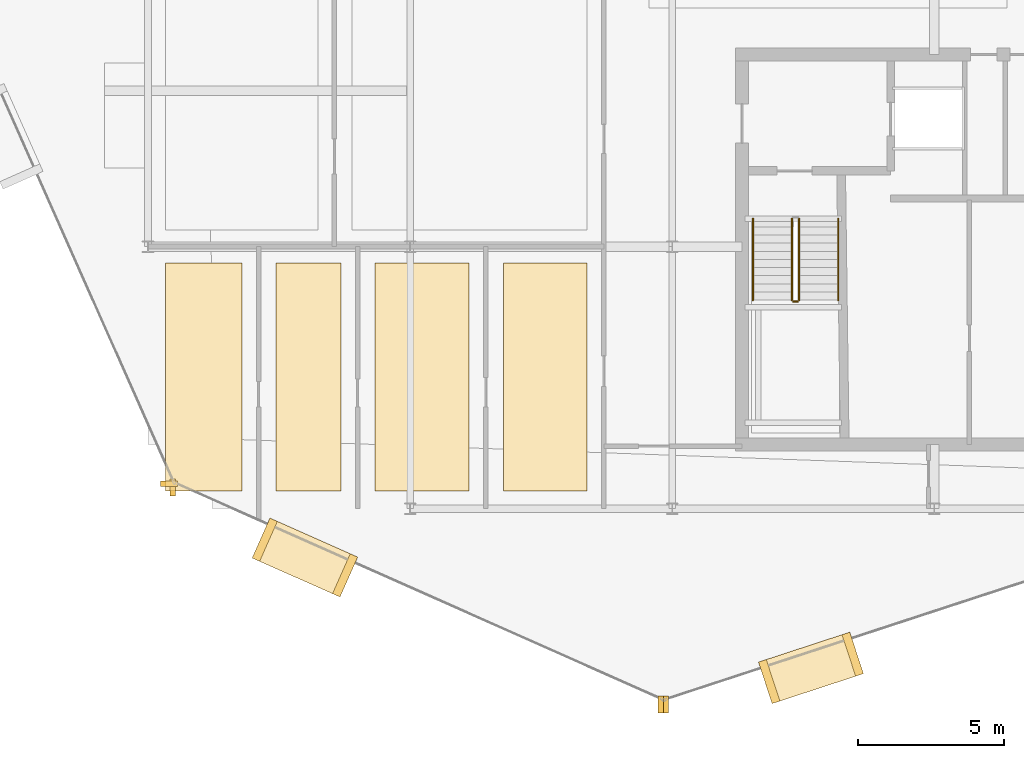
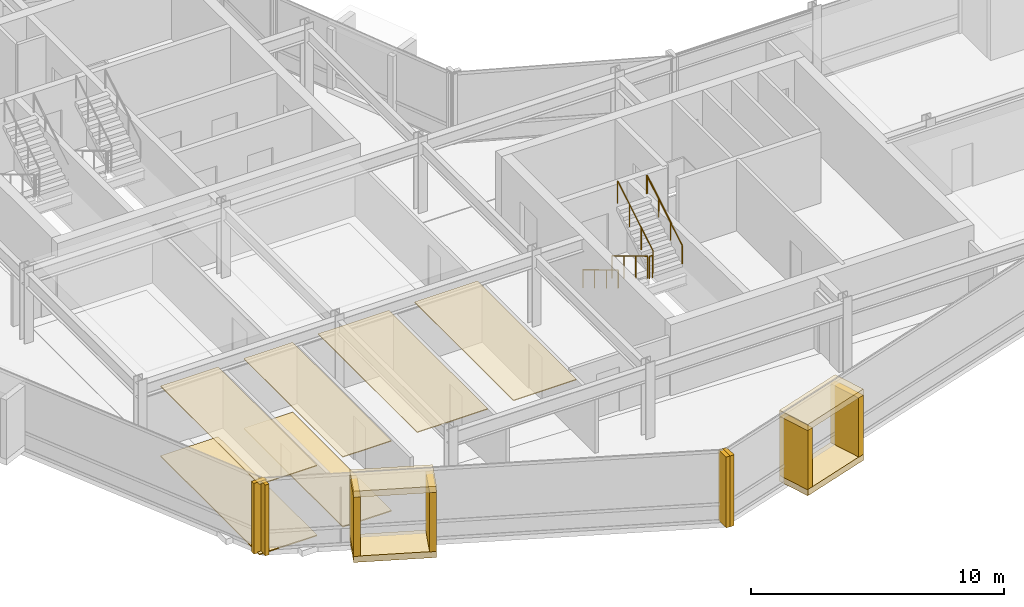
# One storey, part 22 of 27: 18 coverings, 5 railings.
"""IFC4 building model written with IfcOpenShell, lengths in metres."""

import ifcopenshell
import ifcopenshell.guid

model = None  # the IFC model being written
_history = None  # IfcOwnerHistory: only IFC2X3 demands one
_inside = {}  # id of a spatial element -> (the spatial element, [elements in it])
_under = {}  # id of a project, library or spatial element -> (it, [spatial elements below it])
_declared = {}  # id of a project -> (the project, [libraries it declares])
_typed = {}  # id of a type object -> (the type object, [elements of that type])
_made_of = {}  # id of a material, layer set ... -> (it, [elements and type objects made of it])


def new_model(schema):
    """Start an empty IFC model of exactly this schema.

    Asked for "IFC4X3", IfcOpenShell would pick the latest addendum, in which some entities
    have other attributes; the version numbers below select the first issue.
    IFC2X3 requires an IfcOwnerHistory on every rooted entity: one is made here for all.
    """
    global model, _history
    if schema == "IFC4X3":
        model = ifcopenshell.file(schema_version=(4, 3, 0, 0))
    else:
        model = ifcopenshell.file(schema=schema)
    _inside.clear()
    _under.clear()
    _declared.clear()
    _typed.clear()
    _made_of.clear()
    _history = None
    if model.schema == "IFC2X3":
        org = make("IfcOrganization", Name="unknown")
        user = make(
            "IfcPersonAndOrganization",
            ThePerson=make("IfcPerson", FamilyName="unknown"),
            TheOrganization=org,
        )
        app = make(
            "IfcApplication",
            ApplicationDeveloper=org,
            Version="unknown",
            ApplicationFullName="unknown",
            ApplicationIdentifier="unknown",
        )
        _history = make(
            "IfcOwnerHistory",
            OwningUser=user,
            OwningApplication=app,
            ChangeAction="ADDED",
            CreationDate=0,
        )
    return model


def make(cls, **values):
    """One entity of the class cls with the attributes given. An attribute that is None is left unset."""
    return model.create_entity(
        cls, **{name: value for name, value in values.items() if value is not None}
    )


def rooted(cls, **values):
    """An entity with a GlobalId (a new one), such as an element, a storey or a relation."""
    return make(cls, GlobalId=ifcopenshell.guid.new(), OwnerHistory=_history, **values)


def si_unit(unit_type, name, prefix=None):
    """IfcSIUnit, for example si_unit("LENGTHUNIT", "METRE", prefix="MILLI")."""
    return make("IfcSIUnit", UnitType=unit_type, Prefix=prefix, Name=name)


def assignment(units):
    """IfcUnitAssignment: the units of a project."""
    return None if units is None else make("IfcUnitAssignment", Units=units)


def point(xyz):
    """IfcCartesianPoint."""
    return None if xyz is None else make("IfcCartesianPoint", Coordinates=xyz)


def direction(xyz):
    """IfcDirection."""
    return None if xyz is None else make("IfcDirection", DirectionRatios=xyz)


def frame(location, z_axis=None, x_axis=None):
    """IfcAxis2Placement3D, a coordinate frame: its origin and axes. An axis left out is left unset."""
    return make(
        "IfcAxis2Placement3D",
        Location=point(location),
        Axis=direction(z_axis),
        RefDirection=direction(x_axis),
    )


def frame_2d(location, x_axis=None):
    """IfcAxis2Placement2D, a coordinate frame in the plane: its origin and x axis."""
    return make(
        "IfcAxis2Placement2D", Location=point(location), RefDirection=direction(x_axis)
    )


def origin():
    """The frame at (0, 0, 0) with its axes left unset."""
    return frame((0.0, 0.0, 0.0))


def origin_2d():
    """The frame at (0, 0) in the plane with its x axis left unset."""
    return frame_2d((0.0, 0.0))


def place(relative_to, where):
    """IfcLocalPlacement: puts the frame where relative to a parent placement (None: the world)."""
    return make(
        "IfcLocalPlacement", PlacementRelTo=relative_to, RelativePlacement=where
    )


def context(
    kind, dimensions, precision=None, world=None, true_north=None, identifier=None
):
    """IfcGeometricRepresentationContext, for example the 3D "Model" context."""
    return make(
        "IfcGeometricRepresentationContext",
        ContextIdentifier=identifier,
        ContextType=kind,
        CoordinateSpaceDimension=dimensions,
        Precision=precision,
        WorldCoordinateSystem=world,
        TrueNorth=true_north,
    )


def subcontext(parent, identifier, kind, view, scale=None):
    """IfcGeometricRepresentationSubContext, for example "Body" below "Model"."""
    return make(
        "IfcGeometricRepresentationSubContext",
        ContextIdentifier=identifier,
        ContextType=kind,
        ParentContext=parent,
        TargetScale=scale,
        TargetView=view,
    )


def project(units=None, contexts=None):
    """IfcProject with its units and contexts."""
    return rooted(
        "IfcProject",
        Name="project",
        RepresentationContexts=contexts,
        UnitsInContext=assignment(units),
    )


def spatial(cls, under=None, at=None, **own):
    """A site, building, storey or space (cls), placed at a placement, below another one or the project."""
    s = rooted(cls, ObjectPlacement=at, **own)
    if under is not None:
        _under.setdefault(under.id(), (under, []))[1].append(s)
    return s


def polyline(points):
    """IfcPolyline through the points."""
    return make("IfcPolyline", Points=[point(p) for p in points])


def profile(cls, at=None, kind="AREA", **sizes):
    """A parametric profile (cls). Its sizes go by their IFC names, for example OverallWidth=200.0."""
    return make(cls, ProfileType=kind, Position=at, **sizes)


def rectangle(**sizes):
    """IfcRectangleProfileDef."""
    return profile("IfcRectangleProfileDef", **sizes)


def circle(**sizes):
    """IfcCircleProfileDef."""
    return profile("IfcCircleProfileDef", **sizes)


def outline(outer, holes=None, kind="AREA"):
    """IfcArbitraryClosedProfileDef: a profile drawn as a closed curve; with holes, ...WithVoids."""
    if holes is None:
        return make("IfcArbitraryClosedProfileDef", ProfileType=kind, OuterCurve=outer)
    return make(
        "IfcArbitraryProfileDefWithVoids",
        ProfileType=kind,
        OuterCurve=outer,
        InnerCurves=holes,
    )


def extrude(swept, where, along, depth):
    """IfcExtrudedAreaSolid: the profile swept, set in the frame where, extruded along a direction by depth."""
    return make(
        "IfcExtrudedAreaSolid",
        SweptArea=swept,
        Position=where,
        ExtrudedDirection=direction(along),
        Depth=depth,
    )


def shape(context_of_items, identifier, shape_type, items):
    """IfcShapeRepresentation: the items that make up one representation, for example the "Body"."""
    return make(
        "IfcShapeRepresentation",
        ContextOfItems=context_of_items,
        RepresentationIdentifier=identifier,
        RepresentationType=shape_type,
        Items=items,
    )


def material(Name=None, Category=None):
    """IfcMaterial."""
    return make("IfcMaterial", Name=Name, Category=Category)


def layer(
    of_material, thickness, ventilated=None, Name=None, Category=None, Priority=None
):
    """IfcMaterialLayer: one layer of a wall or slab, of a material (None: an air gap)."""
    return make(
        "IfcMaterialLayer",
        Material=of_material,
        LayerThickness=thickness,
        IsVentilated=ventilated,
        Name=Name,
        Category=Category,
        Priority=Priority,
    )


def layer_set(layers, Name=None):
    """IfcMaterialLayerSet."""
    return make("IfcMaterialLayerSet", MaterialLayers=layers, LayerSetName=Name)


def made_of(thing, what):
    """Note that an element or type object is made of a material, layer set ...; save() writes the relation."""
    if what is not None:
        _made_of.setdefault(what.id(), (what, []))[1].append(thing)
    return thing


def type_object(cls, material=None, **own):
    """A type object (cls), such as IfcWallType, which elements share."""
    return made_of(rooted(cls, **own), material)


def element(
    cls,
    number,
    at=None,
    inside=None,
    cuts=None,
    type_object=None,
    material=None,
    context=None,
    identifier="Body",
    shape_type=None,
    held_by="IfcProductDefinitionShape",
    body=None,
    shapes=None,
    **own,
):
    """One element of the class cls, such as IfcWall. Its Tag is "e" and its number.

    at: its placement. inside: the storey or other place that contains it. cuts: it is an
    opening in that element (IfcRelVoidsElement). A single representation is given by context,
    identifier, shape_type and body (its items); several are given by shapes. held_by: the class
    of the entity that holds the representations. save() writes the other relations.
    """
    e = rooted(cls, Tag="e%d" % number, ObjectPlacement=at, **own)
    if body is not None:
        shapes = [shape(context, identifier, shape_type, body)]
    if shapes is not None:
        e.Representation = make(held_by, Representations=shapes)
    if inside is not None:
        _inside.setdefault(inside.id(), (inside, []))[1].append(e)
    if cuts is not None:
        rooted(
            "IfcRelVoidsElement", RelatingBuildingElement=cuts, RelatedOpeningElement=e
        )
    if type_object is not None:
        _typed.setdefault(type_object.id(), (type_object, []))[1].append(e)
    return made_of(e, material)


def aggregate(whole, parts):
    """IfcRelAggregates: a whole, such as a stair, and the parts it consists of."""
    return rooted("IfcRelAggregates", RelatingObject=whole, RelatedObjects=parts)


def save(model, path):
    """Write the relations noted so far, then the file.

    IfcRelAggregates (storeys below a building ...), IfcRelContainedInSpatialStructure (elements
    in a storey), IfcRelDefinesByType, IfcRelAssociatesMaterial and IfcRelDeclares: one each for
    every whole, place, type object, material and project.
    """
    for whole, parts in _under.values():
        aggregate(whole, parts)
    for where, things in _inside.values():
        rooted(
            "IfcRelContainedInSpatialStructure",
            RelatedElements=things,
            RelatingStructure=where,
        )
    for kind, things in _typed.values():
        rooted("IfcRelDefinesByType", RelatedObjects=things, RelatingType=kind)
    for what, things in _made_of.values():
        rooted("IfcRelAssociatesMaterial", RelatedObjects=things, RelatingMaterial=what)
    for by, libraries in _declared.values():
        rooted("IfcRelDeclares", RelatingContext=by, RelatedDefinitions=libraries)
    model.write(path)


model = new_model("IFC4")

# Units and contexts
model_context = context("Model", 3, precision=1e-05, world=origin(), true_north=direction((0.0, 1.0)))
body_context = subcontext(model_context, "Body", "Model", "MODEL_VIEW")
ifc_project = project(units=[si_unit("LENGTHUNIT", "METRE"), si_unit("AREAUNIT", "SQUARE_METRE"), si_unit("VOLUMEUNIT", "CUBIC_METRE"), si_unit("PLANEANGLEUNIT", "RADIAN"), si_unit("MASSUNIT", "GRAM", prefix="KILO")], contexts=[model_context])

# Site, building, storey
site_placement = place(None, origin())
site = spatial("IfcSite", under=ifc_project, at=site_placement, CompositionType="ELEMENT")
building_placement = place(site_placement, origin())
building = spatial("IfcBuilding", under=site, at=building_placement, Name="Solvaryn Broadcast Tower", CompositionType="ELEMENT")
storey_placement = place(building_placement, frame((0.0, 0.0, 224.699951171875)))
storey = spatial("IfcBuildingStorey", under=building, at=storey_placement, Name="L56", CompositionType="ELEMENT", Elevation=224.699951171875)

# Coverings
ifc_material_1 = material(Name="Micro-Perforated Acoustic Gypsum Ceiling", Category="concrete")
ifc_layer_1 = layer(ifc_material_1, 0.0400390625)
ifc_layer_set_1 = layer_set([ifc_layer_1], Name="CV-CEIL-ACOUSTIC")
covering_type_1 = type_object("IfcCoveringType", Name="CV-CEIL-ACOUSTIC", PredefinedType="CEILING", material=ifc_layer_set_1)
covering_1_placement = place(storey_placement, frame((0.0, 0.0, 3.380126953125)))
element("IfcCovering", 1, at=covering_1_placement, inside=storey, type_object=covering_type_1, Name="L56 Room Acoustic Ceiling 3", PredefinedType="CEILING", context=body_context, shape_type="SweptSolid", body=[
    extrude(outline(polyline([(9.60009765625, 9.60009765625), (12.22998046875, 9.60009765625), (12.22998046875, 17.429931640625), (9.60009765625, 17.429931640625), (9.60009765625, 9.60009765625)])), origin(), (0.0, 0.0, 1.0), 0.0400390625),
])
covering_2_placement = place(storey_placement, frame((0.0, 0.0, 3.380126953125)))
element("IfcCovering", 2, at=covering_2_placement, inside=storey, type_object=covering_type_1, Name="L56 Room Acoustic Ceiling 4", PredefinedType="CEILING", context=body_context, shape_type="SweptSolid", body=[
    extrude(outline(polyline([(13.39990234375, 9.60009765625), (15.6298828125, 9.60009765625), (15.6298828125, 17.429931640625), (13.39990234375, 17.429931640625), (13.39990234375, 9.60009765625)])), origin(), (0.0, 0.0, 1.0), 0.0400390625),
])
covering_3_placement = place(storey_placement, frame((0.0, 0.0, 3.380126953125)))
element("IfcCovering", 3, at=covering_3_placement, inside=storey, type_object=covering_type_1, Name="L56 Room Acoustic Ceiling 5", PredefinedType="CEILING", context=body_context, shape_type="SweptSolid", body=[
    extrude(outline(polyline([(16.800048828125, 9.60009765625), (20.030029296875, 9.60009765625), (20.030029296875, 17.429931640625), (16.800048828125, 17.429931640625), (16.800048828125, 9.60009765625)])), origin(), (0.0, 0.0, 1.0), 0.0400390625),
])
covering_4_placement = place(storey_placement, frame((0.0, 0.0, 3.380126953125)))
element("IfcCovering", 4, at=covering_4_placement, inside=storey, type_object=covering_type_1, Name="L56 Room Acoustic Ceiling 6", PredefinedType="CEILING", context=body_context, shape_type="SweptSolid", body=[
    extrude(outline(polyline([(21.199951171875, 9.60009765625), (24.080078125, 9.60009765625), (24.080078125, 17.429931640625), (21.199951171875, 17.429931640625), (21.199951171875, 9.60009765625)])), origin(), (0.0, 0.0, 1.0), 0.0400390625),
])
ifc_material_2 = material(Name="Newsroom Raised Data Access Flooring", Category="steel")
ifc_layer_2 = layer(ifc_material_2, 0.050048828125)
ifc_layer_set_2 = layer_set([ifc_layer_2], Name="CV-FLOOR-RAISED")
covering_type_2 = type_object("IfcCoveringType", Name="CV-FLOOR-RAISED", PredefinedType="FLOORING", material=ifc_layer_set_2)
covering_5_placement = place(storey_placement, origin())
element("IfcCovering", 5, at=covering_5_placement, inside=storey, type_object=covering_type_2, Name="L56 Room Acoustic Floor Finish 3", PredefinedType="FLOORING", context=body_context, shape_type="SweptSolid", body=[
    extrude(outline(polyline([(9.60009765625, 9.60009765625), (12.22998046875, 9.60009765625), (12.22998046875, 17.429931640625), (9.60009765625, 17.429931640625), (9.60009765625, 9.60009765625)])), origin(), (0.0, 0.0, 1.0), 0.050048828125),
])
covering_6_placement = place(storey_placement, origin())
element("IfcCovering", 6, at=covering_6_placement, inside=storey, type_object=covering_type_2, Name="L56 Room Acoustic Floor Finish 4", PredefinedType="FLOORING", context=body_context, shape_type="SweptSolid", body=[
    extrude(outline(polyline([(13.39990234375, 9.60009765625), (15.6298828125, 9.60009765625), (15.6298828125, 17.429931640625), (13.39990234375, 17.429931640625), (13.39990234375, 9.60009765625)])), origin(), (0.0, 0.0, 1.0), 0.050048828125),
])
ifc_material_3 = material(Name="Glazed Architectural Terracotta Rainscreen Cladding", Category="masonry")
ifc_layer_3 = layer(ifc_material_3, 0.280029296875)
ifc_layer_set_3 = layer_set([ifc_layer_3], Name="CV-TC-CLAD")
covering_type_3 = type_object("IfcCoveringType", Name="CV-TC-CLAD", PredefinedType="CLADDING", material=ifc_layer_set_3)
for number, where, z_axis, x_axis, name in (
    (7, (14.388916015625, 7.322998046875, 3.1298828125), (0.0, 0.0, 1.0), (0.913900054426, -0.405939269498, 0.0), "L56 Projecting Stone Window Box Hood 3"),
    (8, (14.388916015625, 7.322998046875, -0.009765625), (0.0, 0.0, 1.0), (0.913900054426, -0.405939269498, 0.0), "L56 Projecting Stone Window Box Sill 3"),
):
    element("IfcCovering", number, at=place(storey_placement, frame(where, z_axis=z_axis, x_axis=x_axis)), inside=storey, type_object=covering_type_3, Name=name, PredefinedType="CLADDING", context=body_context, shape_type="SweptSolid", body=[
        extrude(rectangle(XDim=3.300048828125, YDim=1.5, at=origin_2d()), origin(), (0.0, 0.0, 1.0), 0.300048828125),
    ])
for number, where, z_axis, x_axis, name in (
    (9, (13.009033203125, 7.93603515625, 0.27978515625), (0.0, 0.0, 1.0), (0.913900054426, -0.405939269498, 0.0), "L56 Projecting Stone Window Box Cheek 3-1"),
    (10, (15.76904296875, 6.7099609375, 0.27978515625), (0.0, 0.0, 1.0), (0.913900054426, -0.405939269498, 0.0), "L56 Projecting Stone Window Box Cheek 3-2"),
):
    element("IfcCovering", number, at=place(storey_placement, frame(where, z_axis=z_axis, x_axis=x_axis)), inside=storey, type_object=covering_type_3, Name=name, PredefinedType="CLADDING", context=body_context, shape_type="SweptSolid", body=[
        extrude(rectangle(XDim=0.280029296875, YDim=1.5, at=origin_2d()), origin(), (0.0, 0.0, 1.0), 2.860107421875),
    ])
for number, where, z_axis, x_axis, name in (
    (11, (31.763916015625, 3.533935546875, 3.1298828125), (0.0, 0.0, 1.0), (0.950244253402, 0.311505792684, 0.0), "L56 Projecting Stone Window Box Hood 4"),
    (12, (31.763916015625, 3.533935546875, -0.009765625), (0.0, 0.0, 1.0), (0.950244253402, 0.311505792684, 0.0), "L56 Projecting Stone Window Box Sill 4"),
):
    element("IfcCovering", number, at=place(storey_placement, frame(where, z_axis=z_axis, x_axis=x_axis)), inside=storey, type_object=covering_type_3, Name=name, PredefinedType="CLADDING", context=body_context, shape_type="SweptSolid", body=[
        extrude(rectangle(XDim=3.300048828125, YDim=1.5, at=origin_2d()), origin(), (0.0, 0.0, 1.0), 0.300048828125),
    ])
for number, where, z_axis, x_axis, name in (
    (13, (30.3291015625, 3.063720703125, 0.27978515625), (0.0, 0.0, 1.0), (0.950244253402, 0.311505792684, 0.0), "L56 Projecting Stone Window Box Cheek 4-1"),
    (14, (33.198974609375, 4.00439453125, 0.27978515625), (0.0, 0.0, 1.0), (0.950244253402, 0.311505792684, 0.0), "L56 Projecting Stone Window Box Cheek 4-2"),
):
    element("IfcCovering", number, at=place(storey_placement, frame(where, z_axis=z_axis, x_axis=x_axis)), inside=storey, type_object=covering_type_3, Name=name, PredefinedType="CLADDING", context=body_context, shape_type="SweptSolid", body=[
        extrude(rectangle(XDim=0.280029296875, YDim=1.5, at=origin_2d()), origin(), (0.0, 0.0, 1.0), 2.860107421875),
    ])
ifc_material_4 = material(Name="Extruded Architectural Terracotta Fin", Category="masonry")
ifc_layer_4 = layer(ifc_material_4, 0.179931640625)
ifc_layer_set_4 = layer_set([ifc_layer_4], Name="CV-TC-FIN")
covering_type_4 = type_object("IfcCoveringType", Name="CV-TC-FIN", PredefinedType="USERDEFINED", material=ifc_layer_set_4)
covering_7_placement = place(storey_placement, frame((9.7216796875, 9.852783203125, 0.0), z_axis=(0.0, 0.0, 1.0), x_axis=(1.0, 0.0, 0.0)))
element("IfcCovering", 15, at=covering_7_placement, inside=storey, type_object=covering_type_4, Name="L56 Terracotta Vertical Fin FIN-L56-DR2-M01", ObjectType="FIN", PredefinedType="USERDEFINED", context=body_context, shape_type="SweptSolid", body=[
    extrude(rectangle(XDim=0.580078125, YDim=0.179931640625, at=origin_2d()), origin(), (0.0, 0.0, 1.0), 3.419921875),
])
for number, where, z_axis, x_axis, name in (
    (16, (9.852783203125, 9.7216796875, 0.0), (0.0, 0.0, 1.0), (1.0, 0.0, 0.0), "L56 Terracotta Vertical Fin FIN-L56-DR3-M00"),
    (17, (26.605712890625, 2.281005859375, 0.0), (0.0, 0.0, 1.0), (1.0, 0.0, 0.0), "L56 Terracotta Vertical Fin FIN-L56-DR3-M01"),
    (18, (26.790771484375, 2.271240234375, 0.0), (0.0, 0.0, 1.0), (1.0, 0.0, 0.0), "L56 Terracotta Vertical Fin FIN-L56-DR4-M00"),
):
    element("IfcCovering", number, at=place(storey_placement, frame(where, z_axis=z_axis, x_axis=x_axis)), inside=storey, type_object=covering_type_4, Name=name, ObjectType="FIN", PredefinedType="USERDEFINED", context=body_context, shape_type="SweptSolid", body=[
        extrude(rectangle(XDim=0.179931640625, YDim=0.580078125, at=origin_2d()), origin(), (0.0, 0.0, 1.0), 3.419921875),
    ])

# Railings
ifc_material_5 = material(Name="Painted Steel Stair Well Guard", Category="steel")
railing_type_1 = type_object("IfcRailingType", Name="RL-STAIR-GUARD", PredefinedType="BALUSTRADE", material=ifc_material_5)
railing_1_placement = place(storey_placement, frame((31.110107421875, 18.9599609375, 0.168212890625)))
element("IfcRailing", 19, at=railing_1_placement, inside=storey, type_object=railing_type_1, Name="L56 ST3 stair guard 1", PredefinedType="BALUSTRADE", context=body_context, shape_type="SweptSolid", body=[
    extrude(circle(Radius=0.02392578125, at=origin_2d()), frame((0.0, 0.0, 1.076171875), z_axis=(0.0, -0.857242210791, 0.514913383045), x_axis=(1.0, 0.0, 0.0)), (0.0, 0.0, 1.0), 3.266357421875),
    extrude(circle(Radius=0.02099609375, at=origin_2d()), origin(), (0.0, 0.0, 1.0), 1.052001953125),
    extrude(circle(Radius=0.02099609375, at=origin_2d()), frame((0.0, -0.933349609375, 0.560546875)), (0.0, 0.0, 1.0), 1.052001953125),
    extrude(circle(Radius=0.02099609375, at=origin_2d()), frame((0.0, -1.86669921875, 1.121337890625)), (0.0, 0.0, 1.0), 1.052001953125),
    extrude(circle(Radius=0.02099609375, at=origin_2d()), frame((0.0, -2.800048828125, 1.681884765625)), (0.0, 0.0, 1.0), 1.052001953125),
])
railing_2_placement = place(storey_placement, frame((31.159912109375, 16.110107421875, 1.85009765625)))
element("IfcRailing", 20, at=railing_2_placement, inside=storey, type_object=railing_type_1, Name="L56 ST3 stair guard 2", PredefinedType="BALUSTRADE", context=body_context, shape_type="SweptSolid", body=[
    extrude(circle(Radius=0.02392578125, at=origin_2d()), frame((0.0, 0.0, 1.076171875), z_axis=(1.0, 0.0, 0.0), x_axis=(0.0, 1.0, 0.0)), (0.0, 0.0, 1.0), 0.150146484375),
    extrude(circle(Radius=0.02099609375, at=origin_2d()), origin(), (0.0, 0.0, 1.0), 1.052001953125),
    extrude(circle(Radius=0.02099609375, at=origin_2d()), frame((0.150146484375, 0.0, 0.0)), (0.0, 0.0, 1.0), 1.052001953125),
])
railing_3_placement = place(storey_placement, frame((31.360107421875, 16.159912109375, 2.018310546875)))
element("IfcRailing", 21, at=railing_3_placement, inside=storey, type_object=railing_type_1, Name="L56 ST3 stair guard 3", PredefinedType="BALUSTRADE", context=body_context, shape_type="SweptSolid", body=[
    extrude(circle(Radius=0.02392578125, at=origin_2d()), frame((0.0, 0.0, 1.076171875), z_axis=(0.0, 0.857275202839, 0.514858452973), x_axis=(-1.0, 0.0, 0.0)), (0.0, 0.0, 1.0), 3.26611328125),
    extrude(circle(Radius=0.02099609375, at=origin_2d()), origin(), (0.0, 0.0, 1.0), 1.052001953125),
    extrude(circle(Radius=0.02099609375, at=origin_2d()), frame((0.0, 0.933349609375, 0.560546875)), (0.0, 0.0, 1.0), 1.052001953125),
    extrude(circle(Radius=0.02099609375, at=origin_2d()), frame((0.0, 1.86669921875, 1.12109375)), (0.0, 0.0, 1.0), 1.052001953125),
    extrude(circle(Radius=0.02099609375, at=origin_2d()), frame((0.0, 2.800048828125, 1.681640625)), (0.0, 0.0, 1.0), 1.052001953125),
])
ifc_material_6 = material(Name="Brushed Stainless Steel Tubular Handrail", Category="steel")
railing_type_2 = type_object("IfcRailingType", Name="RL-STAIR-HANDRAIL", PredefinedType="HANDRAIL", material=ifc_material_6)
railing_4_placement = place(storey_placement, frame((29.77001953125, 18.9599609375, 0.168212890625)))
element("IfcRailing", 22, at=railing_4_placement, inside=storey, type_object=railing_type_2, Name="L56 ST3 stair handrail 1", PredefinedType="HANDRAIL", context=body_context, shape_type="SweptSolid", body=[
    extrude(circle(Radius=0.02392578125, at=origin_2d()), frame((0.0, 0.0, 0.8759765625), z_axis=(0.0, -0.857242210791, 0.514913383045), x_axis=(1.0, 0.0, 0.0)), (0.0, 0.0, 1.0), 3.266357421875),
    extrude(circle(Radius=0.02099609375, at=origin_2d()), origin(), (0.0, 0.0, 1.0), 0.851806640625),
    extrude(circle(Radius=0.02099609375, at=origin_2d()), frame((0.0, -0.933349609375, 0.560546875)), (0.0, 0.0, 1.0), 0.851806640625),
    extrude(circle(Radius=0.02099609375, at=origin_2d()), frame((0.0, -1.86669921875, 1.121337890625)), (0.0, 0.0, 1.0), 0.851806640625),
    extrude(circle(Radius=0.02099609375, at=origin_2d()), frame((0.0, -2.800048828125, 1.681884765625)), (0.0, 0.0, 1.0), 0.851806640625),
])
railing_5_placement = place(storey_placement, frame((32.699951171875, 16.159912109375, 2.018310546875)))
element("IfcRailing", 23, at=railing_5_placement, inside=storey, type_object=railing_type_2, Name="L56 ST3 stair handrail 2", PredefinedType="HANDRAIL", context=body_context, shape_type="SweptSolid", body=[
    extrude(circle(Radius=0.02392578125, at=origin_2d()), frame((0.0, 0.0, 0.8759765625), z_axis=(0.0, 0.857275202839, 0.514858452973), x_axis=(-1.0, 0.0, 0.0)), (0.0, 0.0, 1.0), 3.26611328125),
    extrude(circle(Radius=0.02099609375, at=origin_2d()), origin(), (0.0, 0.0, 1.0), 0.851806640625),
    extrude(circle(Radius=0.02099609375, at=origin_2d()), frame((0.0, 0.933349609375, 0.560546875)), (0.0, 0.0, 1.0), 0.851806640625),
    extrude(circle(Radius=0.02099609375, at=origin_2d()), frame((0.0, 1.86669921875, 1.12109375)), (0.0, 0.0, 1.0), 0.851806640625),
    extrude(circle(Radius=0.02099609375, at=origin_2d()), frame((0.0, 2.800048828125, 1.681640625)), (0.0, 0.0, 1.0), 0.851806640625),
])

save(model, "model.ifc")
